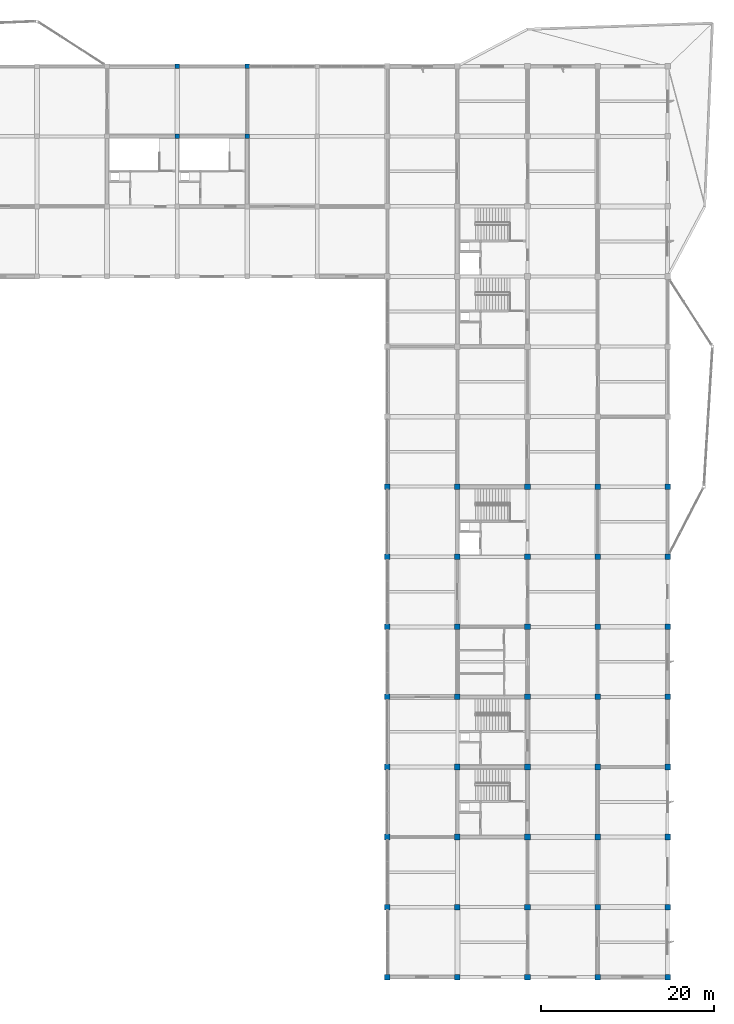
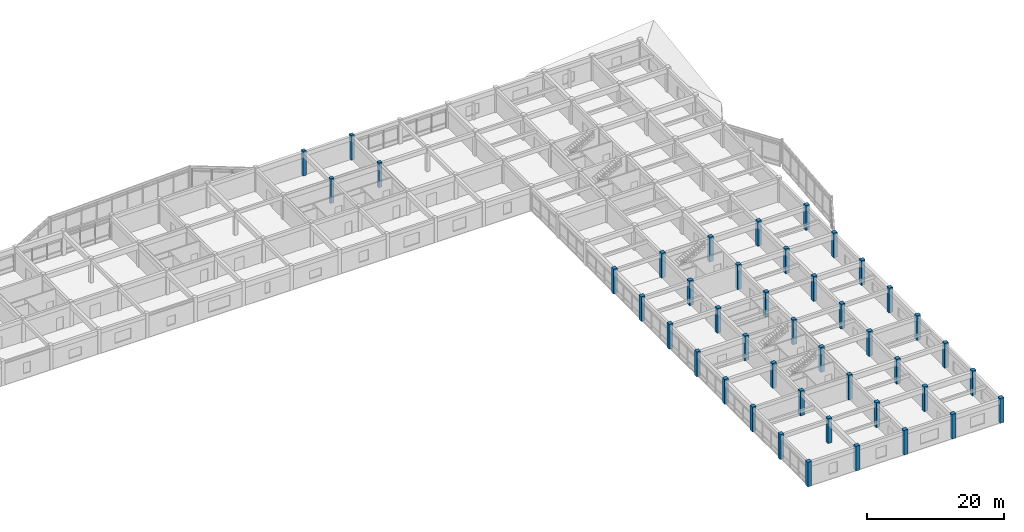
# One storey, part 3 of 40: 44 columns.
"""IFC4 building model written with IfcOpenShell, lengths in metres."""

from ifc_helpers import new_model, si_unit, direction, frame, origin, origin_2d, place, context, subcontext, project, spatial, rectangle, extrude, material, material_profile, profile_set, type_object, element, save


model = new_model("IFC4")

# Units and contexts
model_context = context("Model", 3, precision=1e-05, world=origin(), true_north=direction((0.0, 1.0)))
body_context = subcontext(model_context, "Body", "Model", "MODEL_VIEW")
ifc_project = project(units=[si_unit("LENGTHUNIT", "METRE"), si_unit("AREAUNIT", "SQUARE_METRE"), si_unit("VOLUMEUNIT", "CUBIC_METRE"), si_unit("PLANEANGLEUNIT", "RADIAN"), si_unit("MASSUNIT", "GRAM", prefix="KILO")], contexts=[model_context])

# Site, building, storey
site_placement = place(None, origin())
site = spatial("IfcSite", under=ifc_project, at=site_placement, CompositionType="ELEMENT")
building_placement = place(site_placement, origin())
building = spatial("IfcBuilding", under=site, at=building_placement, Name="Vaudrelin Polytechnic", CompositionType="ELEMENT")
storey_placement = place(building_placement, frame((0.0, 0.0, 22.949951171875)))
storey = spatial("IfcBuildingStorey", under=building, at=storey_placement, Name="L05", CompositionType="ELEMENT", Elevation=22.949951171875)

# Columns
ifc_material = material(Name="Concrete 40 MPa", Category="concrete")
ifc_material_profile_1 = material_profile(ifc_material, rectangle(XDim=0.550048828125, YDim=0.550048828125, at=origin_2d()), Name="RC550x550")
ifc_profile_set_1 = profile_set([ifc_material_profile_1], Name="Concrete 40 MPa")
column_type_1 = type_object("IfcColumnType", Name="COL-C-RC550", PredefinedType="COLUMN", material=ifc_profile_set_1)
for number, where, z_axis, x_axis, name in (
    (1, (113.39990234375, 113.39990234375, 0.0), (0.0, 0.0, 1.0), (1.0, 0.0, 0.0), "Column L05 15-15"),
    (2, (113.39990234375, 121.5, 0.0), (0.0, 0.0, 1.0), (1.0, 0.0, 0.0), "Column L05 15-16"),
    (3, (121.5, 113.39990234375, 0.0), (0.0, 0.0, 1.0), (1.0, 0.0, 0.0), "Column L05 16-15"),
    (4, (121.5, 121.5, 0.0), (0.0, 0.0, 1.0), (1.0, 0.0, 0.0), "Column L05 16-16"),
):
    element("IfcColumn", number, at=place(storey_placement, frame(where, z_axis=z_axis, x_axis=x_axis)), inside=storey, type_object=column_type_1, Name=name, PredefinedType="COLUMN", context=body_context, shape_type="SweptSolid", body=[
        extrude(rectangle(XDim=0.550048828125, YDim=0.550048828125, at=origin_2d()), origin(), (0.0, 0.0, 1.0), 4.420166015625),
    ])
ifc_material_profile_2 = material_profile(ifc_material, rectangle(XDim=0.64990234375, YDim=0.64990234375, at=origin_2d()), Name="RC650x650")
ifc_profile_set_2 = profile_set([ifc_material_profile_2], Name="Concrete 40 MPa")
column_type_2 = type_object("IfcColumnType", Name="COL-C-RC650", PredefinedType="COLUMN", material=ifc_profile_set_2)
for number, where, z_axis, x_axis, name in (
    (5, (137.699951171875, 16.199951171875, 0.0), (0.0, 0.0, 1.0), (1.0, 0.0, 0.0), "Column L05 18-3"),
    (6, (137.699951171875, 24.300048828125, 0.0), (0.0, 0.0, 1.0), (1.0, 0.0, 0.0), "Column L05 18-4"),
    (7, (137.699951171875, 32.39990234375, 0.0), (0.0, 0.0, 1.0), (1.0, 0.0, 0.0), "Column L05 18-5"),
    (8, (137.699951171875, 40.5, 0.0), (0.0, 0.0, 1.0), (1.0, 0.0, 0.0), "Column L05 18-6"),
    (9, (137.699951171875, 48.60009765625, 0.0), (0.0, 0.0, 1.0), (1.0, 0.0, 0.0), "Column L05 18-7"),
    (10, (137.699951171875, 56.699951171875, 0.0), (0.0, 0.0, 1.0), (1.0, 0.0, 0.0), "Column L05 18-8"),
    (11, (137.699951171875, 64.800048828125, 0.0), (0.0, 0.0, 1.0), (1.0, 0.0, 0.0), "Column L05 18-9"),
    (12, (137.699951171875, 72.89990234375, 0.0), (0.0, 0.0, 1.0), (1.0, 0.0, 0.0), "Column L05 18-10"),
    (13, (145.800048828125, 16.199951171875, 0.0), (0.0, 0.0, 1.0), (1.0, 0.0, 0.0), "Column L05 19-3"),
    (14, (145.800048828125, 24.300048828125, 0.0), (0.0, 0.0, 1.0), (1.0, 0.0, 0.0), "Column L05 19-4"),
    (15, (145.800048828125, 32.39990234375, 0.0), (0.0, 0.0, 1.0), (1.0, 0.0, 0.0), "Column L05 19-5"),
    (16, (145.800048828125, 40.5, 0.0), (0.0, 0.0, 1.0), (1.0, 0.0, 0.0), "Column L05 19-6"),
    (17, (145.800048828125, 48.60009765625, 0.0), (0.0, 0.0, 1.0), (1.0, 0.0, 0.0), "Column L05 19-7"),
    (18, (145.800048828125, 56.699951171875, 0.0), (0.0, 0.0, 1.0), (1.0, 0.0, 0.0), "Column L05 19-8"),
    (19, (145.800048828125, 64.800048828125, 0.0), (0.0, 0.0, 1.0), (1.0, 0.0, 0.0), "Column L05 19-9"),
    (20, (145.800048828125, 72.89990234375, 0.0), (0.0, 0.0, 1.0), (1.0, 0.0, 0.0), "Column L05 19-10"),
    (21, (153.89990234375, 16.199951171875, 0.0), (0.0, 0.0, 1.0), (1.0, 0.0, 0.0), "Column L05 20-3"),
    (22, (153.89990234375, 24.300048828125, 0.0), (0.0, 0.0, 1.0), (1.0, 0.0, 0.0), "Column L05 20-4"),
    (23, (153.89990234375, 32.39990234375, 0.0), (0.0, 0.0, 1.0), (1.0, 0.0, 0.0), "Column L05 20-5"),
    (24, (153.89990234375, 40.5, 0.0), (0.0, 0.0, 1.0), (1.0, 0.0, 0.0), "Column L05 20-6"),
    (25, (153.89990234375, 48.60009765625, 0.0), (0.0, 0.0, 1.0), (1.0, 0.0, 0.0), "Column L05 20-7"),
    (26, (153.89990234375, 56.699951171875, 0.0), (0.0, 0.0, 1.0), (1.0, 0.0, 0.0), "Column L05 20-8"),
    (27, (153.89990234375, 64.800048828125, 0.0), (0.0, 0.0, 1.0), (1.0, 0.0, 0.0), "Column L05 20-9"),
    (28, (153.89990234375, 72.89990234375, 0.0), (0.0, 0.0, 1.0), (1.0, 0.0, 0.0), "Column L05 20-10"),
    (29, (162.0, 16.199951171875, 0.0), (0.0, 0.0, 1.0), (1.0, 0.0, 0.0), "Column L05 21-3"),
    (30, (162.0, 24.300048828125, 0.0), (0.0, 0.0, 1.0), (1.0, 0.0, 0.0), "Column L05 21-4"),
    (31, (162.0, 32.39990234375, 0.0), (0.0, 0.0, 1.0), (1.0, 0.0, 0.0), "Column L05 21-5"),
    (32, (162.0, 40.5, 0.0), (0.0, 0.0, 1.0), (1.0, 0.0, 0.0), "Column L05 21-6"),
    (33, (162.0, 48.60009765625, 0.0), (0.0, 0.0, 1.0), (1.0, 0.0, 0.0), "Column L05 21-7"),
    (34, (162.0, 56.699951171875, 0.0), (0.0, 0.0, 1.0), (1.0, 0.0, 0.0), "Column L05 21-8"),
    (35, (162.0, 64.800048828125, 0.0), (0.0, 0.0, 1.0), (1.0, 0.0, 0.0), "Column L05 21-9"),
    (36, (162.0, 72.89990234375, 0.0), (0.0, 0.0, 1.0), (1.0, 0.0, 0.0), "Column L05 21-10"),
    (37, (170.10009765625, 16.199951171875, 0.0), (0.0, 0.0, 1.0), (1.0, 0.0, 0.0), "Column L05 22-3"),
    (38, (170.10009765625, 24.300048828125, 0.0), (0.0, 0.0, 1.0), (1.0, 0.0, 0.0), "Column L05 22-4"),
    (39, (170.10009765625, 32.39990234375, 0.0), (0.0, 0.0, 1.0), (1.0, 0.0, 0.0), "Column L05 22-5"),
    (40, (170.10009765625, 40.5, 0.0), (0.0, 0.0, 1.0), (1.0, 0.0, 0.0), "Column L05 22-6"),
    (41, (170.10009765625, 48.60009765625, 0.0), (0.0, 0.0, 1.0), (1.0, 0.0, 0.0), "Column L05 22-7"),
    (42, (170.10009765625, 56.699951171875, 0.0), (0.0, 0.0, 1.0), (1.0, 0.0, 0.0), "Column L05 22-8"),
    (43, (170.10009765625, 64.800048828125, 0.0), (0.0, 0.0, 1.0), (1.0, 0.0, 0.0), "Column L05 22-9"),
    (44, (170.10009765625, 72.89990234375, 0.0), (0.0, 0.0, 1.0), (1.0, 0.0, 0.0), "Column L05 22-10"),
):
    element("IfcColumn", number, at=place(storey_placement, frame(where, z_axis=z_axis, x_axis=x_axis)), inside=storey, type_object=column_type_2, Name=name, PredefinedType="COLUMN", context=body_context, shape_type="SweptSolid", body=[
        extrude(rectangle(XDim=0.64990234375, YDim=0.64990234375, at=origin_2d()), origin(), (0.0, 0.0, 1.0), 4.420166015625),
    ])

save(model, "model.ifc")
